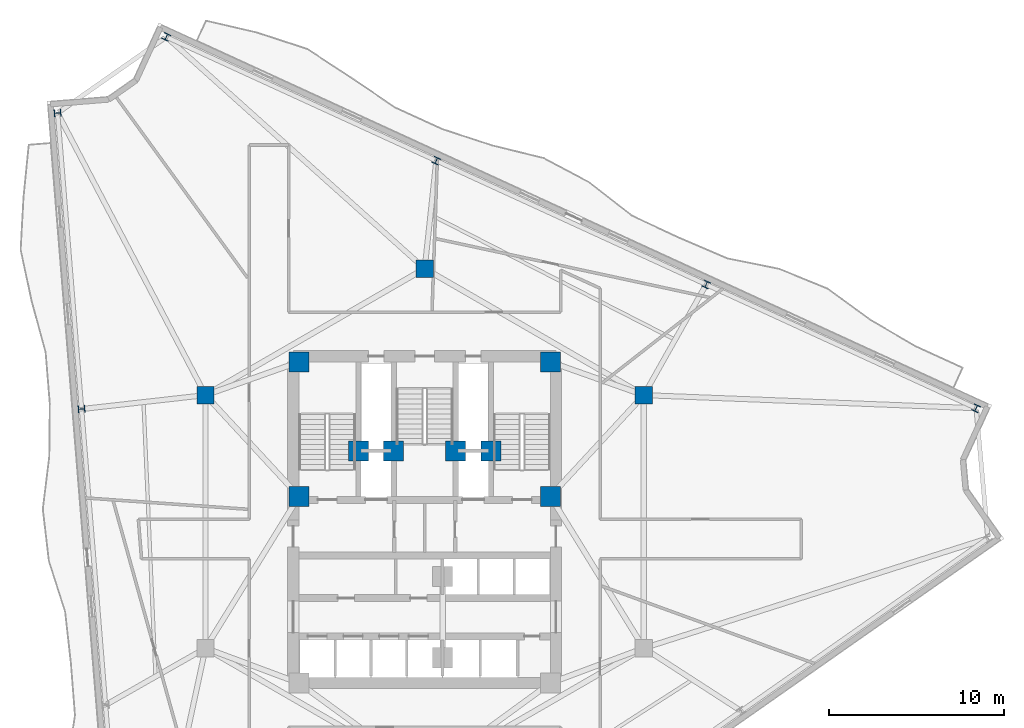
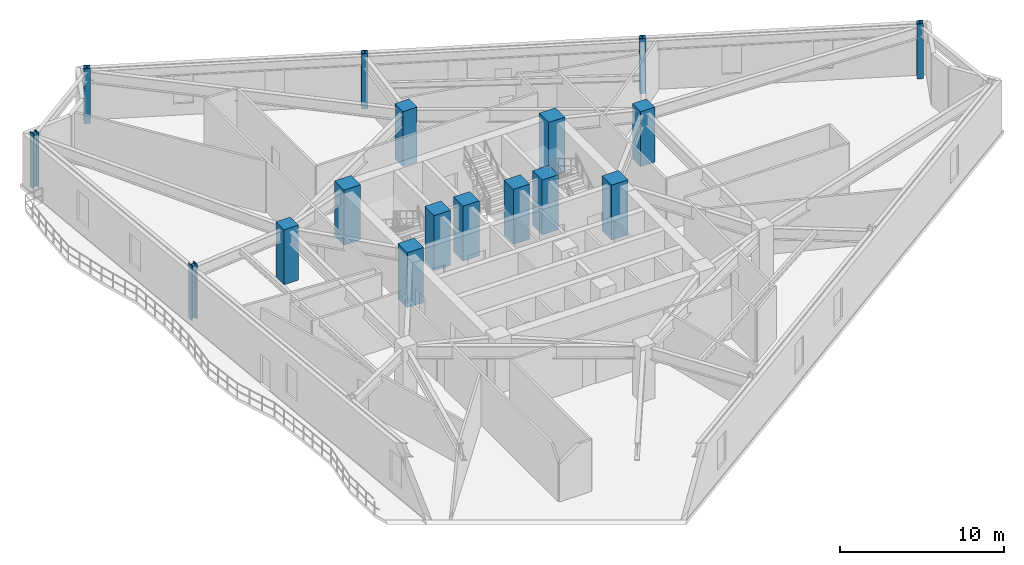
# One storey, part 2 of 10: 17 columns.
"""IFC4 building model written with IfcOpenShell, lengths in metres."""

import ifcopenshell
import ifcopenshell.guid

model = None  # the IFC model being written
_history = None  # IfcOwnerHistory: only IFC2X3 demands one
_inside = {}  # id of a spatial element -> (the spatial element, [elements in it])
_under = {}  # id of a project, library or spatial element -> (it, [spatial elements below it])
_declared = {}  # id of a project -> (the project, [libraries it declares])
_typed = {}  # id of a type object -> (the type object, [elements of that type])
_made_of = {}  # id of a material, layer set ... -> (it, [elements and type objects made of it])


def new_model(schema):
    """Start an empty IFC model of exactly this schema.

    Asked for "IFC4X3", IfcOpenShell would pick the latest addendum, in which some entities
    have other attributes; the version numbers below select the first issue.
    IFC2X3 requires an IfcOwnerHistory on every rooted entity: one is made here for all.
    """
    global model, _history
    if schema == "IFC4X3":
        model = ifcopenshell.file(schema_version=(4, 3, 0, 0))
    else:
        model = ifcopenshell.file(schema=schema)
    _inside.clear()
    _under.clear()
    _declared.clear()
    _typed.clear()
    _made_of.clear()
    _history = None
    if model.schema == "IFC2X3":
        org = make("IfcOrganization", Name="unknown")
        user = make(
            "IfcPersonAndOrganization",
            ThePerson=make("IfcPerson", FamilyName="unknown"),
            TheOrganization=org,
        )
        app = make(
            "IfcApplication",
            ApplicationDeveloper=org,
            Version="unknown",
            ApplicationFullName="unknown",
            ApplicationIdentifier="unknown",
        )
        _history = make(
            "IfcOwnerHistory",
            OwningUser=user,
            OwningApplication=app,
            ChangeAction="ADDED",
            CreationDate=0,
        )
    return model


def make(cls, **values):
    """One entity of the class cls with the attributes given. An attribute that is None is left unset."""
    return model.create_entity(
        cls, **{name: value for name, value in values.items() if value is not None}
    )


def rooted(cls, **values):
    """An entity with a GlobalId (a new one), such as an element, a storey or a relation."""
    return make(cls, GlobalId=ifcopenshell.guid.new(), OwnerHistory=_history, **values)


def si_unit(unit_type, name, prefix=None):
    """IfcSIUnit, for example si_unit("LENGTHUNIT", "METRE", prefix="MILLI")."""
    return make("IfcSIUnit", UnitType=unit_type, Prefix=prefix, Name=name)


def assignment(units):
    """IfcUnitAssignment: the units of a project."""
    return None if units is None else make("IfcUnitAssignment", Units=units)


def point(xyz):
    """IfcCartesianPoint."""
    return None if xyz is None else make("IfcCartesianPoint", Coordinates=xyz)


def direction(xyz):
    """IfcDirection."""
    return None if xyz is None else make("IfcDirection", DirectionRatios=xyz)


def frame(location, z_axis=None, x_axis=None):
    """IfcAxis2Placement3D, a coordinate frame: its origin and axes. An axis left out is left unset."""
    return make(
        "IfcAxis2Placement3D",
        Location=point(location),
        Axis=direction(z_axis),
        RefDirection=direction(x_axis),
    )


def frame_2d(location, x_axis=None):
    """IfcAxis2Placement2D, a coordinate frame in the plane: its origin and x axis."""
    return make(
        "IfcAxis2Placement2D", Location=point(location), RefDirection=direction(x_axis)
    )


def origin():
    """The frame at (0, 0, 0) with its axes left unset."""
    return frame((0.0, 0.0, 0.0))


def origin_2d():
    """The frame at (0, 0) in the plane with its x axis left unset."""
    return frame_2d((0.0, 0.0))


def place(relative_to, where):
    """IfcLocalPlacement: puts the frame where relative to a parent placement (None: the world)."""
    return make(
        "IfcLocalPlacement", PlacementRelTo=relative_to, RelativePlacement=where
    )


def context(
    kind, dimensions, precision=None, world=None, true_north=None, identifier=None
):
    """IfcGeometricRepresentationContext, for example the 3D "Model" context."""
    return make(
        "IfcGeometricRepresentationContext",
        ContextIdentifier=identifier,
        ContextType=kind,
        CoordinateSpaceDimension=dimensions,
        Precision=precision,
        WorldCoordinateSystem=world,
        TrueNorth=true_north,
    )


def subcontext(parent, identifier, kind, view, scale=None):
    """IfcGeometricRepresentationSubContext, for example "Body" below "Model"."""
    return make(
        "IfcGeometricRepresentationSubContext",
        ContextIdentifier=identifier,
        ContextType=kind,
        ParentContext=parent,
        TargetScale=scale,
        TargetView=view,
    )


def project(units=None, contexts=None):
    """IfcProject with its units and contexts."""
    return rooted(
        "IfcProject",
        Name="project",
        RepresentationContexts=contexts,
        UnitsInContext=assignment(units),
    )


def spatial(cls, under=None, at=None, **own):
    """A site, building, storey or space (cls), placed at a placement, below another one or the project."""
    s = rooted(cls, ObjectPlacement=at, **own)
    if under is not None:
        _under.setdefault(under.id(), (under, []))[1].append(s)
    return s


def profile(cls, at=None, kind="AREA", **sizes):
    """A parametric profile (cls). Its sizes go by their IFC names, for example OverallWidth=200.0."""
    return make(cls, ProfileType=kind, Position=at, **sizes)


def rectangle(**sizes):
    """IfcRectangleProfileDef."""
    return profile("IfcRectangleProfileDef", **sizes)


def i_section(**sizes):
    """IfcIShapeProfileDef."""
    return profile("IfcIShapeProfileDef", **sizes)


def extrude(swept, where, along, depth):
    """IfcExtrudedAreaSolid: the profile swept, set in the frame where, extruded along a direction by depth."""
    return make(
        "IfcExtrudedAreaSolid",
        SweptArea=swept,
        Position=where,
        ExtrudedDirection=direction(along),
        Depth=depth,
    )


def shape(context_of_items, identifier, shape_type, items):
    """IfcShapeRepresentation: the items that make up one representation, for example the "Body"."""
    return make(
        "IfcShapeRepresentation",
        ContextOfItems=context_of_items,
        RepresentationIdentifier=identifier,
        RepresentationType=shape_type,
        Items=items,
    )


def material(Name=None, Category=None):
    """IfcMaterial."""
    return make("IfcMaterial", Name=Name, Category=Category)


def material_profile(
    of_material, cross_section, Name=None, Category=None, Priority=None
):
    """IfcMaterialProfile: a cross section and its material."""
    return make(
        "IfcMaterialProfile",
        Name=Name,
        Material=of_material,
        Profile=cross_section,
        Priority=Priority,
        Category=Category,
    )


def profile_set(profiles, Name=None, composite=None):
    """IfcMaterialProfileSet."""
    return make(
        "IfcMaterialProfileSet",
        Name=Name,
        MaterialProfiles=profiles,
        CompositeProfile=composite,
    )


def made_of(thing, what):
    """Note that an element or type object is made of a material, layer set ...; save() writes the relation."""
    if what is not None:
        _made_of.setdefault(what.id(), (what, []))[1].append(thing)
    return thing


def type_object(cls, material=None, **own):
    """A type object (cls), such as IfcWallType, which elements share."""
    return made_of(rooted(cls, **own), material)


def element(
    cls,
    number,
    at=None,
    inside=None,
    cuts=None,
    type_object=None,
    material=None,
    context=None,
    identifier="Body",
    shape_type=None,
    held_by="IfcProductDefinitionShape",
    body=None,
    shapes=None,
    **own,
):
    """One element of the class cls, such as IfcWall. Its Tag is "e" and its number.

    at: its placement. inside: the storey or other place that contains it. cuts: it is an
    opening in that element (IfcRelVoidsElement). A single representation is given by context,
    identifier, shape_type and body (its items); several are given by shapes. held_by: the class
    of the entity that holds the representations. save() writes the other relations.
    """
    e = rooted(cls, Tag="e%d" % number, ObjectPlacement=at, **own)
    if body is not None:
        shapes = [shape(context, identifier, shape_type, body)]
    if shapes is not None:
        e.Representation = make(held_by, Representations=shapes)
    if inside is not None:
        _inside.setdefault(inside.id(), (inside, []))[1].append(e)
    if cuts is not None:
        rooted(
            "IfcRelVoidsElement", RelatingBuildingElement=cuts, RelatedOpeningElement=e
        )
    if type_object is not None:
        _typed.setdefault(type_object.id(), (type_object, []))[1].append(e)
    return made_of(e, material)


def aggregate(whole, parts):
    """IfcRelAggregates: a whole, such as a stair, and the parts it consists of."""
    return rooted("IfcRelAggregates", RelatingObject=whole, RelatedObjects=parts)


def save(model, path):
    """Write the relations noted so far, then the file.

    IfcRelAggregates (storeys below a building ...), IfcRelContainedInSpatialStructure (elements
    in a storey), IfcRelDefinesByType, IfcRelAssociatesMaterial and IfcRelDeclares: one each for
    every whole, place, type object, material and project.
    """
    for whole, parts in _under.values():
        aggregate(whole, parts)
    for where, things in _inside.values():
        rooted(
            "IfcRelContainedInSpatialStructure",
            RelatedElements=things,
            RelatingStructure=where,
        )
    for kind, things in _typed.values():
        rooted("IfcRelDefinesByType", RelatedObjects=things, RelatingType=kind)
    for what, things in _made_of.values():
        rooted("IfcRelAssociatesMaterial", RelatedObjects=things, RelatingMaterial=what)
    for by, libraries in _declared.values():
        rooted("IfcRelDeclares", RelatingContext=by, RelatedDefinitions=libraries)
    model.write(path)


model = new_model("IFC4")

# Units and contexts
model_context = context("Model", 3, precision=1e-05, world=origin(), true_north=direction((0.0, 1.0)))
body_context = subcontext(model_context, "Body", "Model", "MODEL_VIEW")
ifc_project = project(units=[si_unit("LENGTHUNIT", "METRE"), si_unit("AREAUNIT", "SQUARE_METRE"), si_unit("VOLUMEUNIT", "CUBIC_METRE"), si_unit("PLANEANGLEUNIT", "RADIAN"), si_unit("MASSUNIT", "GRAM", prefix="KILO")], contexts=[model_context])

# Site, building, storey
site_placement = place(None, origin())
site = spatial("IfcSite", under=ifc_project, at=site_placement, CompositionType="ELEMENT")
building_placement = place(site_placement, origin())
building = spatial("IfcBuilding", under=site, at=building_placement, Name="Apsidion Concourse Tower", CompositionType="ELEMENT")
storey_placement = place(building_placement, frame((0.0, 0.0, 202.39990234375)))
storey = spatial("IfcBuildingStorey", under=building, at=storey_placement, Name="L47", CompositionType="ELEMENT", Elevation=202.39990234375)

# Columns
ifc_material_1 = material(Name="Concrete C50/60", Category="concrete")
ifc_material_profile_1 = material_profile(ifc_material_1, rectangle(XDim=1.0, YDim=1.0, at=origin_2d()), Name="RC 1000x1000")
ifc_profile_set_1 = profile_set([ifc_material_profile_1], Name="Concrete C50/60")
column_type_1 = type_object("IfcColumnType", Name="COL-RC-1000", PredefinedType="COLUMN", material=ifc_profile_set_1)
for number, where, z_axis, x_axis, name in (
    (1, (12.56005859375, 7.25, 0.0), (0.0, 0.0, 1.0), (1.0, 0.0, 0.0), "L47 Interior Spine Column IC3"),
    (2, (0.0, 14.5, 0.0), (0.0, 0.0, 1.0), (1.0, 0.0, 0.0), "L47 Interior Spine Column IC4"),
    (3, (-12.56005859375, 7.25, 0.0), (0.0, 0.0, 1.0), (1.0, 0.0, 0.0), "L47 Interior Spine Column IC5"),
):
    element("IfcColumn", number, at=place(storey_placement, frame(where, z_axis=z_axis, x_axis=x_axis)), inside=storey, type_object=column_type_1, Name=name, PredefinedType="COLUMN", context=body_context, shape_type="SweptSolid", body=[
        extrude(rectangle(XDim=1.0, YDim=1.0, at=origin_2d()), origin(), (0.0, 0.0, 1.0), 4.10009765625),
    ])
ifc_material_profile_2 = material_profile(ifc_material_1, rectangle(XDim=1.14990234375, YDim=1.14990234375, at=origin_2d()), Name="RC 1150x1150")
ifc_profile_set_2 = profile_set([ifc_material_profile_2], Name="Concrete C50/60")
column_type_2 = type_object("IfcColumnType", Name="COL-RC-1150", PredefinedType="COLUMN", material=ifc_profile_set_2)
for number, where, z_axis, x_axis, name in (
    (4, (7.199951171875, 1.449951171875, 0.0), (0.0, 0.0, 1.0), (1.0, 0.0, 0.0), "L47 Core Super-Column SC3"),
    (5, (7.199951171875, 9.14990234375, 0.0), (0.0, 0.0, 1.0), (1.0, 0.0, 0.0), "L47 Core Super-Column SC4"),
    (6, (-7.199951171875, 9.14990234375, 0.0), (0.0, 0.0, 1.0), (1.0, 0.0, 0.0), "L47 Core Super-Column SC5"),
    (7, (-7.199951171875, 1.449951171875, 0.0), (0.0, 0.0, 1.0), (1.0, 0.0, 0.0), "L47 Core Super-Column SC6"),
    (8, (-3.800048828125, 4.050048828125, 0.0), (0.0, 0.0, 1.0), (1.0, 0.0, 0.0), "L47 Core Super-Column CC1"),
    (9, (3.800048828125, 4.050048828125, 0.0), (0.0, 0.0, 1.0), (1.0, 0.0, 0.0), "L47 Core Super-Column CC2"),
    (10, (-1.77490234375, 4.050048828125, 0.0), (0.0, 0.0, 1.0), (1.0, 0.0, 0.0), "L47 Core Super-Column CC3"),
    (11, (1.77490234375, 4.050048828125, 0.0), (0.0, 0.0, 1.0), (1.0, 0.0, 0.0), "L47 Core Super-Column CC4"),
):
    element("IfcColumn", number, at=place(storey_placement, frame(where, z_axis=z_axis, x_axis=x_axis)), inside=storey, type_object=column_type_2, Name=name, PredefinedType="COLUMN", context=body_context, shape_type="SweptSolid", body=[
        extrude(rectangle(XDim=1.14990234375, YDim=1.14990234375, at=origin_2d()), origin(), (0.0, 0.0, 1.0), 4.10009765625),
    ])
ifc_material_2 = material(Name="Structural steel ASTM A992 Grade 50", Category="steel")
ifc_material_profile_3 = material_profile(ifc_material_2, i_section(OverallWidth=0.39892578125, OverallDepth=0.385986328125, WebThickness=0.02099609375, FlangeThickness=0.033203125, at=origin_2d()), Name="W14X176")
ifc_profile_set_3 = profile_set([ifc_material_profile_3], Name="Structural steel ASTM A992 Grade 50")
column_type_3 = type_object("IfcColumnType", Name="COL-W14-176", PredefinedType="COLUMN", material=ifc_profile_set_3)
for number, where, z_axis, x_axis, name in (
    (12, (-21.03759765625, 23.412841796875, 0.0), (0.0, 0.0, 1.0), (-0.080720825512, 0.996736749763, 0.0), "L47 Rotated Perimeter Column PC01"),
    (13, (-19.66357421875, 6.451171875, 0.0), (0.0, 0.0, 1.0), (-0.080720825512, 0.996736749763, 0.0), "L47 Rotated Perimeter Column PC02"),
    (14, (31.600830078125, 6.499267578125, 0.0), (0.0, 0.0, 1.0), (-0.909018020308, 0.416756810089, 0.0), "L47 Rotated Perimeter Column PC09"),
    (15, (16.132080078125, 13.591796875, 0.0), (0.0, 0.0, 1.0), (-0.909018020308, 0.416756810089, 0.0), "L47 Rotated Perimeter Column PC10"),
    (16, (0.663330078125, 20.68408203125, 0.0), (0.0, 0.0, 1.0), (-0.909018020308, 0.416756810089, 0.0), "L47 Rotated Perimeter Column PC11"),
    (17, (-14.805419921875, 27.776611328125, 0.0), (0.0, 0.0, 1.0), (-0.909018020308, 0.416756810089, 0.0), "L47 Rotated Perimeter Column PC12"),
):
    element("IfcColumn", number, at=place(storey_placement, frame(where, z_axis=z_axis, x_axis=x_axis)), inside=storey, type_object=column_type_3, Name=name, PredefinedType="COLUMN", context=body_context, shape_type="SweptSolid", body=[
        extrude(i_section(OverallWidth=0.39892578125, OverallDepth=0.385986328125, WebThickness=0.02099609375, FlangeThickness=0.033203125, at=origin_2d()), origin(), (0.0, 0.0, 1.0), 4.10009765625),
    ])

save(model, "model.ifc")
